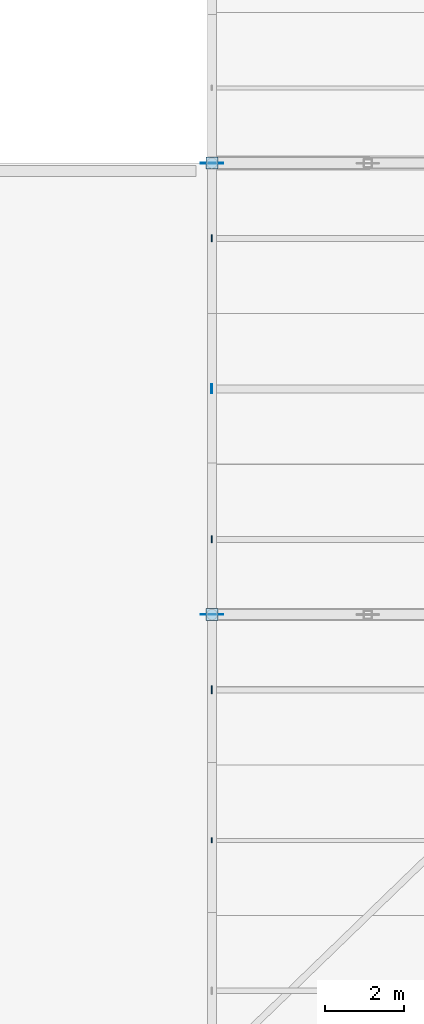
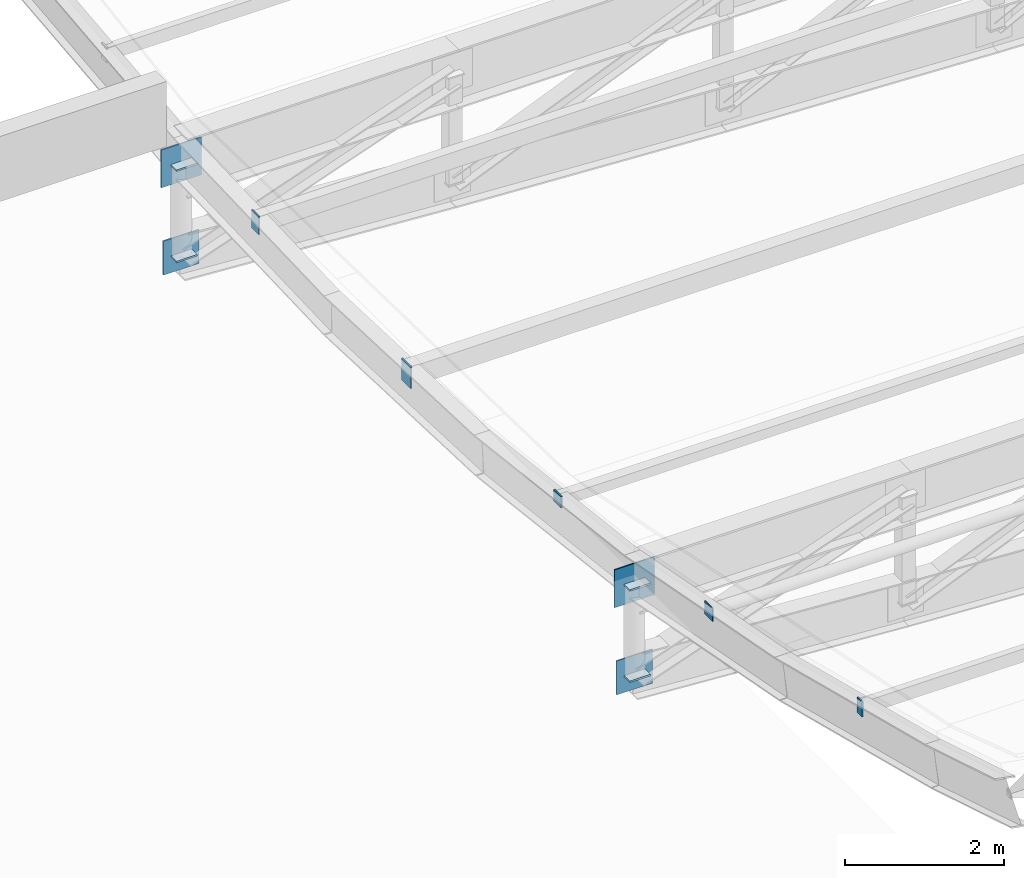
# One storey, part 34 of 65: 13 plates.
"""IFC4 building model written with IfcOpenShell, lengths in metres."""

from ifc_helpers import new_model, si_unit, direction, frame, origin, origin_2d, place, context, subcontext, project, spatial, rectangle, extrude, material, layer, layer_set, type_object, element, save


model = new_model("IFC4")

# Units and contexts
model_context = context("Model", 3, precision=1e-05, world=origin(), true_north=direction((0.0, 1.0)))
body_context = subcontext(model_context, "Body", "Model", "MODEL_VIEW")
ifc_project = project(units=[si_unit("LENGTHUNIT", "METRE"), si_unit("AREAUNIT", "SQUARE_METRE"), si_unit("VOLUMEUNIT", "CUBIC_METRE"), si_unit("PLANEANGLEUNIT", "RADIAN"), si_unit("MASSUNIT", "GRAM", prefix="KILO"), si_unit("POWERUNIT", "WATT"), si_unit("THERMODYNAMICTEMPERATUREUNIT", "KELVIN")], contexts=[model_context])

# Site, building, storey
site_placement = place(None, origin())
site = spatial("IfcSite", under=ifc_project, at=site_placement, CompositionType="ELEMENT")
building_placement = place(site_placement, origin())
building = spatial("IfcBuilding", under=site, at=building_placement, Name="Kelmbourne Parkland Aquatics Centre", CompositionType="ELEMENT")
storey_placement = place(building_placement, frame((0.0, 0.0, 27.0)))
storey = spatial("IfcBuildingStorey", under=building, at=storey_placement, Name="RF", CompositionType="ELEMENT", Elevation=27.0)

# Plates
ifc_material = material(Name="Welded plate steel AS/NZS 3678 Grade 350", Category="steel")
ifc_layer_1 = layer(ifc_material, 0.02001953125)
ifc_layer_set_1 = layer_set([ifc_layer_1], Name="Welded plate steel AS/NZS 3678 Grade 350")
plate_type_1 = type_object("IfcPlateType", Name="PL-CAP-20", PredefinedType="USERDEFINED", material=ifc_layer_set_1)
plate_1_placement = place(storey_placement, frame((127.990966796875, 40.699951171875, -10.9912109375), z_axis=(0.0, 0.0, 1.0), x_axis=(-1.0, 0.0, 0.0)))
element("IfcPlate", 1, at=plate_1_placement, inside=storey, type_object=plate_type_1, Name="Hollow end cap plate CAP-0381", ObjectType="END CAP PLATE", PredefinedType="USERDEFINED", context=body_context, shape_type="SweptSolid", body=[
    extrude(rectangle(XDim=0.02001953125, YDim=0.1298828125, at=origin_2d()), origin(), (0.0, 0.0, 1.0), 0.22998046875),
])
plate_2_placement = place(storey_placement, frame((127.990966796875, 44.5, -11.805908203125), z_axis=(0.0, 0.0, 1.0), x_axis=(-1.0, 0.0, 0.0)))
element("IfcPlate", 2, at=plate_2_placement, inside=storey, type_object=plate_type_1, Name="Hollow end cap plate CAP-0389", ObjectType="END CAP PLATE", PredefinedType="USERDEFINED", context=body_context, shape_type="SweptSolid", body=[
    extrude(rectangle(XDim=0.02001953125, YDim=0.1982421875, at=origin_2d()), origin(), (0.0, 0.0, 1.0), 0.1982421875),
])
plate_3_placement = place(storey_placement, frame((127.990966796875, 48.300048828125, -12.37646484375), z_axis=(0.0, 0.0, 1.0), x_axis=(-1.0, 0.0, 0.0)))
element("IfcPlate", 3, at=plate_3_placement, inside=storey, type_object=plate_type_1, Name="Hollow end cap plate CAP-0397", ObjectType="END CAP PLATE", PredefinedType="USERDEFINED", context=body_context, shape_type="SweptSolid", body=[
    extrude(rectangle(XDim=0.02001953125, YDim=0.179931640625, at=origin_2d()), origin(), (0.0, 0.0, 1.0), 0.179931640625),
])
plate_4_placement = place(storey_placement, frame((127.990966796875, 55.89990234375, -12.78662109375), z_axis=(0.0, 0.0, 1.0), x_axis=(-1.0, 0.0, 0.0)))
element("IfcPlate", 4, at=plate_4_placement, inside=storey, type_object=plate_type_1, Name="Hollow end cap plate CAP-0413", ObjectType="END CAP PLATE", PredefinedType="USERDEFINED", context=body_context, shape_type="SweptSolid", body=[
    extrude(rectangle(XDim=0.02001953125, YDim=0.179931640625, at=origin_2d()), origin(), (0.0, 0.0, 1.0), 0.280029296875),
])
ifc_layer_2 = layer(ifc_material, 0.02392578125)
ifc_layer_set_2 = layer_set([ifc_layer_2], Name="Welded plate steel AS/NZS 3678 Grade 350")
plate_type_2 = type_object("IfcPlateType", Name="PL-CAP-24", PredefinedType="USERDEFINED", material=ifc_layer_set_2)
for number, where, z_axis, x_axis, name in (
    (5, (128.0, 46.39990234375, -13.81884765625), (0.0, 0.0, 1.0), (1.0, 0.0, 0.0), "Hollow end cap plate CAP-0119"),
    (6, (128.0, 46.39990234375, -12.416748046875), (0.0, 0.0, 1.0), (1.0, 0.0, 0.0), "Hollow end cap plate CAP-0120"),
    (7, (128.0, 57.800048828125, -14.28662109375), (0.0, 0.0, 1.0), (1.0, 0.0, 0.0), "Hollow end cap plate CAP-0145"),
    (8, (128.0, 57.800048828125, -12.884521484375), (0.0, 0.0, 1.0), (1.0, 0.0, 0.0), "Hollow end cap plate CAP-0146"),
):
    element("IfcPlate", number, at=place(storey_placement, frame(where, z_axis=z_axis, x_axis=x_axis)), inside=storey, type_object=plate_type_2, Name=name, ObjectType="END CAP PLATE", PredefinedType="USERDEFINED", context=body_context, shape_type="SweptSolid", body=[
        extrude(rectangle(XDim=0.302978515625, YDim=0.302978515625, at=origin_2d()), origin(), (0.0, 0.0, 1.0), 0.02392578125),
    ])
plate_5_placement = place(storey_placement, frame((127.989013671875, 52.10009765625, -12.82861328125), z_axis=(0.0, 0.0, 1.0), x_axis=(-1.0, 0.0, 0.0)))
element("IfcPlate", 9, at=plate_5_placement, inside=storey, type_object=plate_type_2, Name="Hollow end cap plate CAP-0405", ObjectType="END CAP PLATE", PredefinedType="USERDEFINED", context=body_context, shape_type="SweptSolid", body=[
    extrude(rectangle(XDim=0.02392578125, YDim=0.22998046875, at=origin_2d()), origin(), (0.0, 0.0, 1.0), 0.330078125),
])
ifc_layer_3 = layer(ifc_material, 0.02001953125)
ifc_layer_set_3 = layer_set([ifc_layer_3], Name="Welded plate steel AS/NZS 3678 Grade 350")
plate_type_3 = type_object("IfcPlateType", Name="PL-GUS-1", PredefinedType="USERDEFINED", material=ifc_layer_set_3)
plate_6_placement = place(storey_placement, frame((128.0, 46.39990234375, -12.7060546875), z_axis=(0.0, 0.0, 1.0), x_axis=(1.0, 0.0, 0.0)))
element("IfcPlate", 10, at=plate_6_placement, inside=storey, type_object=plate_type_3, Name="Truss top node TN-1 gusset plate R04-N0", ObjectType="GUSSET PLATE", PredefinedType="USERDEFINED", context=body_context, shape_type="SweptSolid", body=[
    extrude(rectangle(XDim=0.580078125, YDim=0.02001953125, at=origin_2d()), origin(), (0.0, 0.0, 1.0), 0.580078125),
])
plate_7_placement = place(storey_placement, frame((128.0, 46.39990234375, -14.055908203125), z_axis=(0.0, 0.0, 1.0), x_axis=(1.0, 0.0, 0.0)))
element("IfcPlate", 11, at=plate_7_placement, inside=storey, type_object=plate_type_3, Name="Truss bottom node TN-1 gusset plate R04-B0", ObjectType="GUSSET PLATE", PredefinedType="USERDEFINED", context=body_context, shape_type="SweptSolid", body=[
    extrude(rectangle(XDim=0.52001953125, YDim=0.02001953125, at=origin_2d()), origin(), (0.0, 0.0, 1.0), 0.52001953125),
])
plate_8_placement = place(storey_placement, frame((128.0, 57.800048828125, -13.173583984375), z_axis=(0.0, 0.0, 1.0), x_axis=(1.0, 0.0, 0.0)))
element("IfcPlate", 12, at=plate_8_placement, inside=storey, type_object=plate_type_3, Name="Truss top node TN-1 gusset plate R05-N0", ObjectType="GUSSET PLATE", PredefinedType="USERDEFINED", context=body_context, shape_type="SweptSolid", body=[
    extrude(rectangle(XDim=0.580078125, YDim=0.02001953125, at=origin_2d()), origin(), (0.0, 0.0, 1.0), 0.580078125),
])
plate_9_placement = place(storey_placement, frame((128.0, 57.800048828125, -14.523681640625), z_axis=(0.0, 0.0, 1.0), x_axis=(1.0, 0.0, 0.0)))
element("IfcPlate", 13, at=plate_9_placement, inside=storey, type_object=plate_type_3, Name="Truss bottom node TN-1 gusset plate R05-B0", ObjectType="GUSSET PLATE", PredefinedType="USERDEFINED", context=body_context, shape_type="SweptSolid", body=[
    extrude(rectangle(XDim=0.52001953125, YDim=0.02001953125, at=origin_2d()), origin(), (0.0, 0.0, 1.0), 0.52001953125),
])

save(model, "model.ifc")
